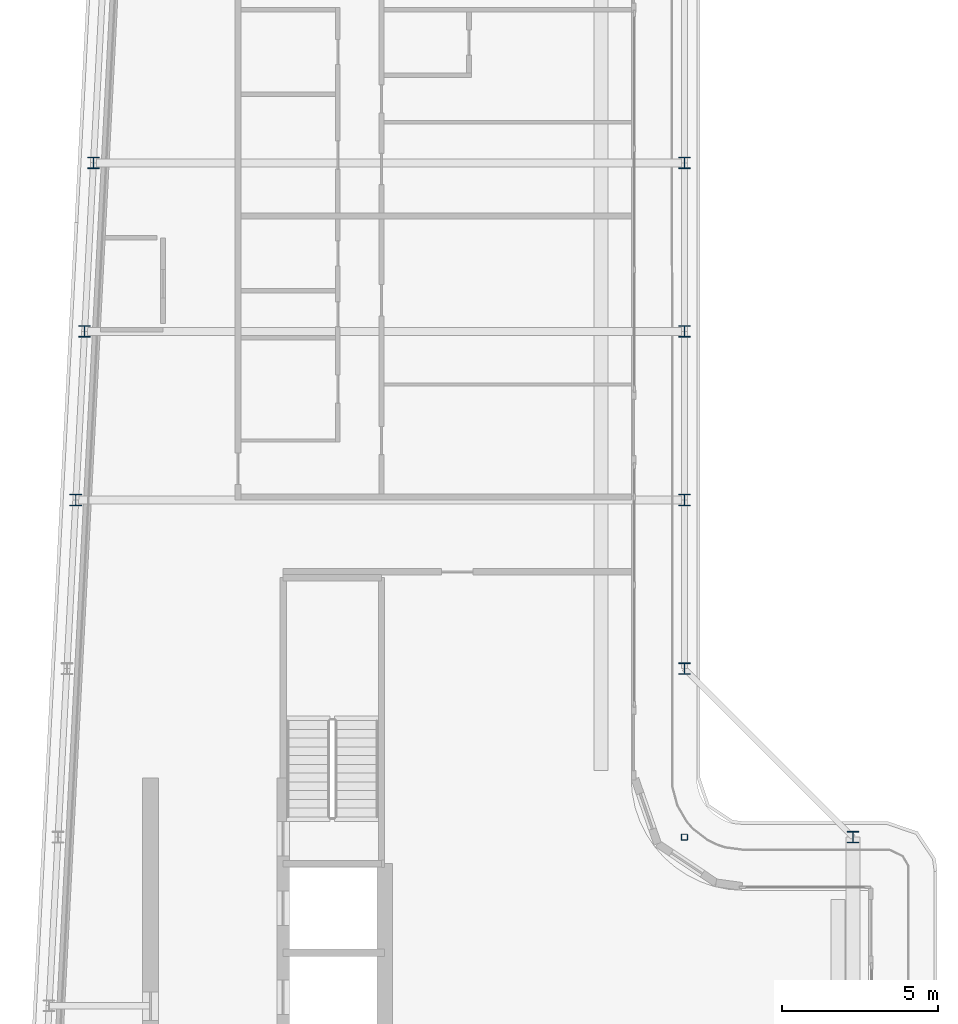
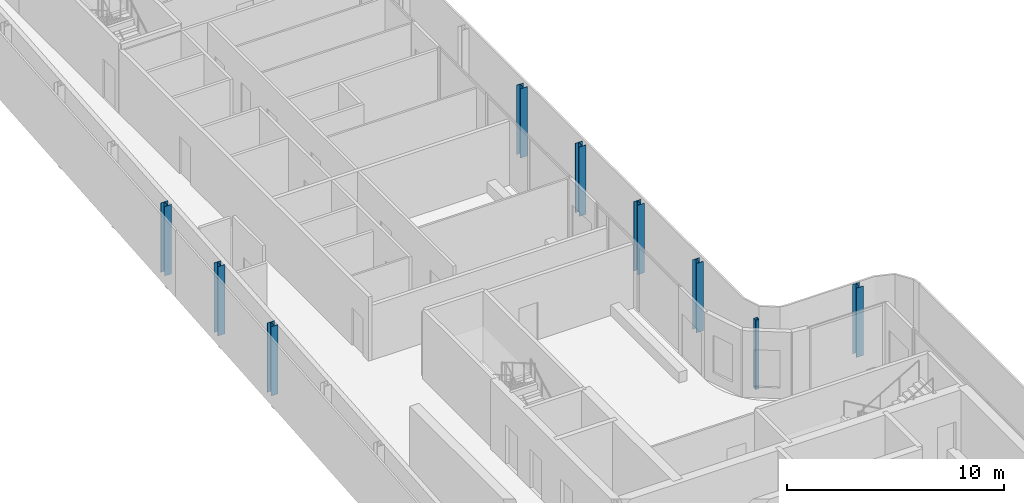
# One storey, part 2 of 18: 9 columns.
"""IFC4 building model written with IfcOpenShell, lengths in metres."""

from ifc_helpers import new_model, si_unit, direction, frame, origin, origin_2d, place, context, subcontext, project, spatial, hollow_rectangle, i_section, extrude, material, material_profile, profile_set, type_object, element, save


model = new_model("IFC4")

# Units and contexts
model_context = context("Model", 3, precision=1e-05, world=origin(), true_north=direction((0.0, 1.0)))
body_context = subcontext(model_context, "Body", "Model", "MODEL_VIEW")
ifc_project = project(units=[si_unit("LENGTHUNIT", "METRE"), si_unit("AREAUNIT", "SQUARE_METRE"), si_unit("VOLUMEUNIT", "CUBIC_METRE"), si_unit("PLANEANGLEUNIT", "RADIAN"), si_unit("MASSUNIT", "GRAM", prefix="KILO")], contexts=[model_context])

# Site, building, storey
site_placement = place(None, origin())
site = spatial("IfcSite", under=ifc_project, at=site_placement, CompositionType="ELEMENT")
building_placement = place(site_placement, origin())
building = spatial("IfcBuilding", under=site, at=building_placement, Name="Kheshtan School and Residences Tower", CompositionType="ELEMENT")
storey_placement = place(building_placement, frame((0.0, 0.0, 365.60009765625)))
storey = spatial("IfcBuildingStorey", under=building, at=storey_placement, Name="L86", CompositionType="ELEMENT", Elevation=365.60009765625)

# Columns
ifc_material_1 = material(Name="Steel ASTM A992 Grade 50", Category="steel")
ifc_material_profile_1 = material_profile(ifc_material_1, i_section(OverallWidth=0.37109375, OverallDepth=0.364013671875, WebThickness=0.01318359375, FlangeThickness=0.021728515625, FilletRadius=0.010986328125, at=origin_2d()), Name="W360x162")
ifc_profile_set_1 = profile_set([ifc_material_profile_1], Name="Steel ASTM A992 Grade 50")
column_type_1 = type_object("IfcColumnType", Name="Column C6 W360x162 ASTM A992 Grade 50", PredefinedType="COLUMN", material=ifc_profile_set_1)
for number, where, z_axis, x_axis, name in (
    (1, (53.0, 45.60009765625, 0.0), (0.0, 0.0, 1.0), (1.0, 0.0, 0.0), "Column C061"),
    (2, (47.60009765625, 51.0, 0.0), (0.0, 0.0, 1.0), (1.0, 0.0, 0.0), "Column C079"),
    (3, (28.10595703125, 56.39990234375, 0.0), (0.0, 0.0, 1.0), (1.0, 0.0, 0.0), "Column C080"),
    (4, (47.60009765625, 56.39990234375, 0.0), (0.0, 0.0, 1.0), (1.0, 0.0, 0.0), "Column C081"),
    (5, (28.389892578125, 61.800048828125, 0.0), (0.0, 0.0, 1.0), (1.0, 0.0, 0.0), "Column C082"),
    (6, (47.60009765625, 61.800048828125, 0.0), (0.0, 0.0, 1.0), (1.0, 0.0, 0.0), "Column C083"),
    (7, (28.674072265625, 67.199951171875, 0.0), (0.0, 0.0, 1.0), (1.0, 0.0, 0.0), "Column C084"),
    (8, (47.60009765625, 67.199951171875, 0.0), (0.0, 0.0, 1.0), (1.0, 0.0, 0.0), "Column C085"),
):
    element("IfcColumn", number, at=place(storey_placement, frame(where, z_axis=z_axis, x_axis=x_axis)), inside=storey, type_object=column_type_1, Name=name, PredefinedType="COLUMN", context=body_context, shape_type="SweptSolid", body=[
        extrude(i_section(OverallWidth=0.37109375, OverallDepth=0.364013671875, WebThickness=0.01318359375, FlangeThickness=0.021728515625, FilletRadius=0.010986328125, at=origin_2d()), origin(), (0.0, 0.0, 1.0), 3.89990234375),
    ])
ifc_material_2 = material(Name="Steel ASTM A500 Grade C", Category="steel")
ifc_material_profile_2 = material_profile(ifc_material_2, hollow_rectangle(XDim=0.202880859375, YDim=0.202880859375, WallThickness=0.0126953125, InnerFilletRadius=0.0126953125, OuterFilletRadius=0.025390625, at=origin_2d()), Name="HSS 203x203x12.7")
ifc_profile_set_2 = profile_set([ifc_material_profile_2], Name="Steel ASTM A500 Grade C")
column_type_2 = type_object("IfcColumnType", Name="Column IC4 HSS 203x203x12.7 ASTM A500 Grade C", PredefinedType="COLUMN", material=ifc_profile_set_2)
column_placement = place(storey_placement, frame((47.60009765625, 45.60009765625, 0.0), z_axis=(0.0, 0.0, 1.0), x_axis=(1.0, 0.0, 0.0)))
element("IfcColumn", 9, at=column_placement, inside=storey, type_object=column_type_2, Name="Column C060", PredefinedType="COLUMN", context=body_context, shape_type="SweptSolid", body=[
    extrude(hollow_rectangle(XDim=0.202880859375, YDim=0.202880859375, WallThickness=0.0126953125, InnerFilletRadius=0.0126953125, OuterFilletRadius=0.025390625, at=origin_2d()), origin(), (0.0, 0.0, 1.0), 3.89990234375),
])

save(model, "model.ifc")
